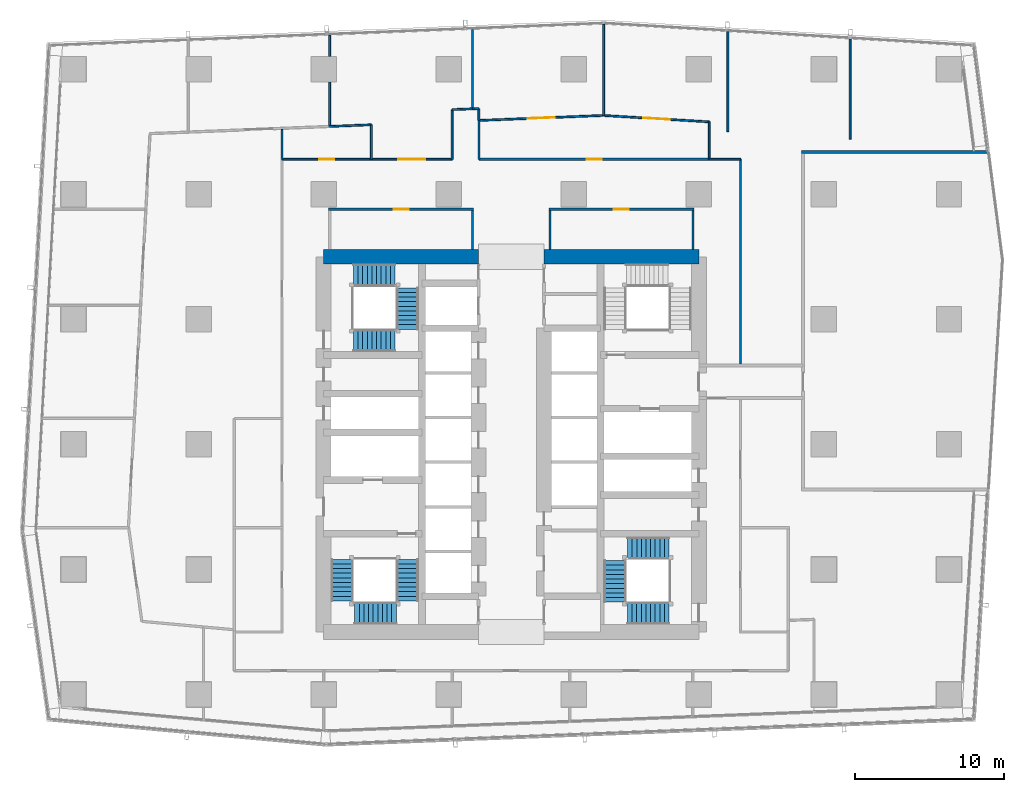
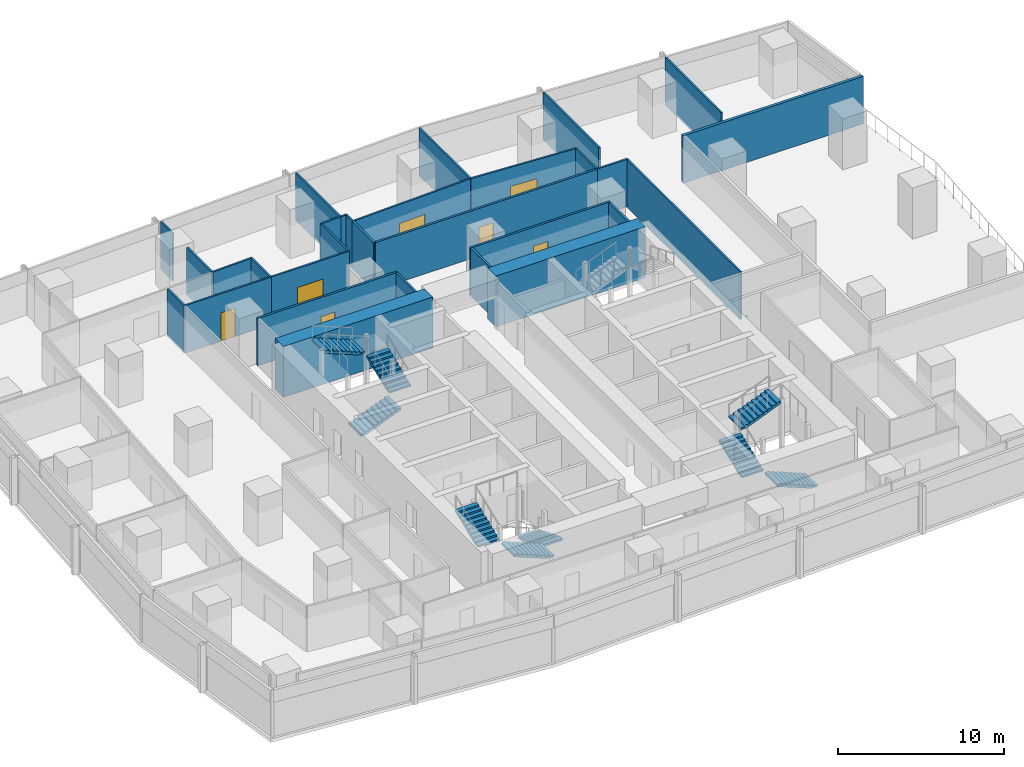
# One storey, part 31 of 40: 30 walls, 9 stair flights, 7 doors, 7 openings, 3 elements without a shape of their own.
"""IFC4 building model written with IfcOpenShell, lengths in metres."""

from ifc_helpers import new_model, si_unit, direction, frame, frame_2d, origin, place, context, subcontext, project, spatial, polyline, rectangle, outline, extrude, material, layer, layer_set, type_object, element, fill, aggregate, save


model = new_model("IFC4")

# Units and contexts
model_context = context("Model", 3, precision=1e-05, world=origin(), true_north=direction((0.0, 1.0)))
body_context = subcontext(model_context, "Body", "Model", "MODEL_VIEW")
ifc_project = project(units=[si_unit("LENGTHUNIT", "METRE"), si_unit("AREAUNIT", "SQUARE_METRE"), si_unit("VOLUMEUNIT", "CUBIC_METRE"), si_unit("PLANEANGLEUNIT", "RADIAN"), si_unit("MASSUNIT", "GRAM", prefix="KILO")], contexts=[model_context])

# Site, building, storey
site_placement = place(None, origin())
site = spatial("IfcSite", under=ifc_project, at=site_placement, CompositionType="ELEMENT")
building_placement = place(site_placement, origin())
building = spatial("IfcBuilding", under=site, at=building_placement, Name="Rekha Terrace Tower", CompositionType="ELEMENT")
storey_placement = place(building_placement, frame((0.0, 0.0, 99.050048828125)))
storey = spatial("IfcBuildingStorey", under=building, at=storey_placement, Name="L24", CompositionType="ELEMENT", Elevation=99.050048828125)

# Walls
ifc_material_1 = material(Name="Concrete M70", Category="concrete")
ifc_layer_1 = layer(ifc_material_1, 1.0)
ifc_layer_set_1 = layer_set([ifc_layer_1], Name="Concrete M70")
wall_type_1 = type_object("IfcWallType", Name="SW2 1000 core outer shear wall", PredefinedType="SHEAR", material=ifc_layer_set_1)
wall_1_placement = place(storey_placement, frame((25.199951171875, 46.199951171875, 0.0), z_axis=(0.0, 0.0, 1.0), x_axis=(1.0, 0.0, 0.0)))
element("IfcWall", 1, at=wall_1_placement, inside=storey, type_object=wall_type_1, Name="Core wall N1 L24", PredefinedType="SHEAR", context=body_context, shape_type="SweptSolid", body=[
    extrude(rectangle(XDim=10.400146484375, YDim=1.0, at=frame_2d((5.2001953125, 0.0))), origin(), (0.0, 0.0, 1.0), 3.75),
])
wall_2_placement = place(storey_placement, frame((40.0, 46.199951171875, 0.0), z_axis=(0.0, 0.0, 1.0), x_axis=(1.0, 0.0, 0.0)))
element("IfcWall", 2, at=wall_2_placement, inside=storey, type_object=wall_type_1, Name="Core wall N2 L24", PredefinedType="SHEAR", context=body_context, shape_type="SweptSolid", body=[
    extrude(rectangle(XDim=10.39990234375, YDim=1.0, at=frame_2d((5.199951171875, 0.0))), origin(), (0.0, 0.0, 1.0), 3.75),
])

# Wall, opening, door
ifc_material_2 = material(Name="Concrete block masonry, 1 hour", Category="masonry")
ifc_layer_2 = layer(ifc_material_2, 0.14990234375)
ifc_layer_set_2 = layer_set([ifc_layer_2], Name="Concrete block masonry, 1 hour")
wall_type_2 = type_object("IfcWallType", Name="WP2 150 tenancy partition", PredefinedType="PARTITIONING", material=ifc_layer_set_2)
wall_3_placement = place(storey_placement, frame((40.324951171875, 49.39990234375, 0.0), z_axis=(0.0, 0.0, 1.0), x_axis=(1.0, 0.0, 0.0)))
wall_3 = element("IfcWall", 3, at=wall_3_placement, inside=storey, type_object=wall_type_2, Name="Women's WC wall L24", PredefinedType="PARTITIONING", context=body_context, shape_type="SweptSolid", body=[
    extrude(rectangle(XDim=9.75, YDim=0.14990234375, at=frame_2d((4.875, 0.0))), origin(), (0.0, 0.0, 1.0), 3.5),
])
opening_1_placement = place(wall_3_placement, frame((4.375, 0.0, 0.0)))
opening_1 = element("IfcOpeningElement", 4, at=opening_1_placement, cuts=wall_3, Name="Opening D3", PredefinedType="OPENING", context=body_context, shape_type="SweptSolid", body=[
    extrude(rectangle(XDim=1.0, YDim=2.10009765625, at=frame_2d((0.5, 1.050048828125))), frame((0.0, 0.0849609375, 0.0), z_axis=(0.0, -1.0, 0.0), x_axis=(1.0, 0.0, 0.0)), (0.0, 0.0, 1.0), 0.169921875),
])
ifc_material_3 = material(Name="Laminated timber fire door", Category="wood")
door_type_1 = type_object("IfcDoorType", Name="D3 1000x2100 WC door", OperationType="SINGLE_SWING_LEFT", PredefinedType="DOOR", material=ifc_material_3)
door_1_placement = place(opening_1_placement, origin())
door_1 = element("IfcDoor", 5, at=door_1_placement, inside=storey, type_object=door_type_1, Name="Door women's wc L24", OperationType="SINGLE_SWING_LEFT", OverallHeight=2.10009765625, OverallWidth=1.0, PredefinedType="DOOR", context=body_context, shape_type="SweptSolid", body=[
    extrude(rectangle(XDim=1.0, YDim=2.10009765625, at=frame_2d((0.5, 1.050048828125))), frame((0.0, 0.02490234375, 0.0), z_axis=(0.0, -1.0, 0.0), x_axis=(1.0, 0.0, 0.0)), (0.0, 0.0, 1.0), 0.050048828125),
])
fill(opening_1, door_1)

# Walls
for number, where, z_axis, x_axis, name in (
    (6, (40.39990234375, 46.699951171875, 0.0), (0.0, 0.0, 1.0), (0.0, 1.0, 0.0), "Women's WC wall L24"),
    (7, (50.0, 46.699951171875, 0.0), (0.0, 0.0, 1.0), (0.0, 1.0, 0.0), "Women's WC wall L24"),
):
    element("IfcWall", number, at=place(storey_placement, frame(where, z_axis=z_axis, x_axis=x_axis)), inside=storey, type_object=wall_type_2, Name=name, PredefinedType="PARTITIONING", context=body_context, shape_type="SweptSolid", body=[
        extrude(rectangle(XDim=2.625, YDim=0.14990234375, at=frame_2d((1.3125, 0.0))), origin(), (0.0, 0.0, 1.0), 3.5),
    ])

# Wall, opening, door
wall_4_placement = place(storey_placement, frame((25.52490234375, 49.39990234375, 0.0), z_axis=(0.0, 0.0, 1.0), x_axis=(1.0, 0.0, 0.0)))
wall_4 = element("IfcWall", 8, at=wall_4_placement, inside=storey, type_object=wall_type_2, Name="Women's WC wall L24", PredefinedType="PARTITIONING", context=body_context, shape_type="SweptSolid", body=[
    extrude(rectangle(XDim=9.75, YDim=0.14990234375, at=frame_2d((4.875, 0.0))), origin(), (0.0, 0.0, 1.0), 3.5),
])
opening_2_placement = place(wall_4_placement, frame((4.375, 0.0, 0.0)))
opening_2 = element("IfcOpeningElement", 9, at=opening_2_placement, cuts=wall_4, Name="Opening D3", PredefinedType="OPENING", context=body_context, shape_type="SweptSolid", body=[
    extrude(rectangle(XDim=1.0, YDim=2.10009765625, at=frame_2d((0.5, 1.050048828125))), frame((0.0, 0.0849609375, 0.0), z_axis=(0.0, -1.0, 0.0), x_axis=(1.0, 0.0, 0.0)), (0.0, 0.0, 1.0), 0.169921875),
])
door_2_placement = place(opening_2_placement, origin())
door_2 = element("IfcDoor", 10, at=door_2_placement, inside=storey, type_object=door_type_1, Name="Door women's wc L24", OperationType="SINGLE_SWING_LEFT", OverallHeight=2.10009765625, OverallWidth=1.0, PredefinedType="DOOR", context=body_context, shape_type="SweptSolid", body=[
    extrude(rectangle(XDim=1.0, YDim=2.10009765625, at=frame_2d((0.5, 1.050048828125))), frame((0.0, 0.02490234375, 0.0), z_axis=(0.0, -1.0, 0.0), x_axis=(1.0, 0.0, 0.0)), (0.0, 0.0, 1.0), 0.050048828125),
])
fill(opening_2, door_2)

# Wall
wall_5_placement = place(storey_placement, frame((35.199951171875, 46.699951171875, 0.0), z_axis=(0.0, 0.0, 1.0), x_axis=(0.0, 1.0, 0.0)))
element("IfcWall", 11, at=wall_5_placement, inside=storey, type_object=wall_type_2, Name="Women's WC wall L24", PredefinedType="PARTITIONING", context=body_context, shape_type="SweptSolid", body=[
    extrude(rectangle(XDim=2.625, YDim=0.14990234375, at=frame_2d((1.3125, 0.0))), origin(), (0.0, 0.0, 1.0), 3.5),
])

# Wall, opening, door
wall_6_placement = place(storey_placement, frame((51.09912109375, 52.75, 0.0), z_axis=(0.0, 0.0, 1.0), x_axis=(-1.0, 0.0, 0.0)))
wall_6 = element("IfcWall", 12, at=wall_6_placement, inside=storey, type_object=wall_type_2, Name="Partition L24-O2", PredefinedType="PARTITIONING", context=body_context, shape_type="SweptSolid", body=[
    extrude(rectangle(XDim=15.47314453125, YDim=0.14990234375, at=frame_2d((7.736572265625, 0.0))), origin(), (0.0, 0.0, 1.0), 3.5),
])
opening_3_placement = place(wall_6_placement, frame((7.236083984375, 0.0, 0.0)))
opening_3 = element("IfcOpeningElement", 13, at=opening_3_placement, cuts=wall_6, Name="Opening D9", PredefinedType="OPENING", context=body_context, shape_type="SweptSolid", body=[
    extrude(rectangle(XDim=1.0, YDim=2.10009765625, at=frame_2d((0.5, 1.050048828125))), frame((0.0, 0.0849609375, 0.0), z_axis=(0.0, -1.0, 0.0), x_axis=(1.0, 0.0, 0.0)), (0.0, 0.0, 1.0), 0.169921875),
])
ifc_material_4 = material(Name="Timber fire door", Category="wood")
door_type_2 = type_object("IfcDoorType", Name="D9 1000x2100 office door", OperationType="SINGLE_SWING_LEFT", PredefinedType="DOOR", material=ifc_material_4)
door_3_placement = place(opening_3_placement, origin())
door_3 = element("IfcDoor", 14, at=door_3_placement, inside=storey, type_object=door_type_2, Name="Door open-plan office L24", OperationType="SINGLE_SWING_LEFT", OverallHeight=2.10009765625, OverallWidth=1.0, PredefinedType="DOOR", context=body_context, shape_type="SweptSolid", body=[
    extrude(rectangle(XDim=1.0, YDim=2.10009765625, at=frame_2d((0.5, 1.050048828125))), frame((0.0, 0.02490234375, 0.0), z_axis=(0.0, -1.0, 0.0), x_axis=(1.0, 0.0, 0.0)), (0.0, 0.0, 1.0), 0.050048828125),
])
fill(opening_3, door_3)

# Walls
wall_7_placement = place(storey_placement, frame((35.6259765625, 52.75, 0.0), z_axis=(0.0, 0.0, 1.0), x_axis=(0.0, 1.0, 0.0)))
element("IfcWall", 15, at=wall_7_placement, inside=storey, type_object=wall_type_2, Name="Partition L24-O2", PredefinedType="PARTITIONING", context=body_context, shape_type="SweptSolid", body=[
    extrude(rectangle(XDim=2.60791015625, YDim=0.14990234375, at=frame_2d((1.303955078125, 0.0))), origin(), (0.0, 0.0, 1.0), 3.5),
])
ifc_material_5 = material(Name="Two layers of fire-rated gypsum board each side on steel studs, acoustic quilt, 1 hour", Category="steel")
ifc_layer_3 = layer(ifc_material_5, 0.125)
ifc_layer_set_3 = layer_set([ifc_layer_3], Name="Two layers of fire-rated gypsum board each side on steel studs, acoustic quilt, 1 hour")
wall_type_3 = type_object("IfcWallType", Name="WP3 125 office partition", PredefinedType="PARTITIONING", material=ifc_layer_set_3)
for number, where, z_axis, x_axis, name in (
    (16, (52.34912109375, 61.320068359375, 0.0), (0.0, 0.0, 1.0), (0.0, -1.0, 0.0), "Partition L24-03"),
    (17, (60.56103515625, 60.826904296875, 0.0), (0.0, 0.0, 1.0), (0.0, -1.0, 0.0), "Partition L24-03"),
):
    element("IfcWall", number, at=place(storey_placement, frame(where, z_axis=z_axis, x_axis=x_axis)), inside=storey, type_object=wall_type_3, Name=name, PredefinedType="PARTITIONING", context=body_context, shape_type="SweptSolid", body=[
        extrude(rectangle(XDim=6.719970703125, YDim=0.125, at=frame_2d((3.35986328125, 0.0))), origin(), (0.0, 0.0, 1.0), 3.5),
    ])
wall_8_placement = place(storey_placement, frame((53.199951171875, 39.010986328125, 0.0), z_axis=(0.0, 0.0, 1.0), x_axis=(0.0, 1.0, 0.0)))
element("IfcWall", 18, at=wall_8_placement, inside=storey, type_object=wall_type_3, Name="Partition L24-03", PredefinedType="PARTITIONING", context=body_context, shape_type="SweptSolid", body=[
    extrude(rectangle(XDim=13.739013671875, YDim=0.125, at=frame_2d((6.86962890625, 0.0))), origin(), (0.0, 0.0, 1.0), 3.5),
])
wall_9_placement = place(storey_placement, frame((53.199951171875, 52.75, 0.0), z_axis=(0.0, 0.0, 1.0), x_axis=(-1.0, 0.0, 0.0)))
element("IfcWall", 19, at=wall_9_placement, inside=storey, type_object=wall_type_3, Name="Partition L24-03", PredefinedType="PARTITIONING", context=body_context, shape_type="SweptSolid", body=[
    extrude(rectangle(XDim=2.100830078125, YDim=0.125, at=frame_2d((1.05029296875, 0.0))), origin(), (0.0, 0.0, 1.0), 3.5),
])
wall_10_placement = place(storey_placement, frame((51.09912109375, 52.75, 0.0), z_axis=(0.0, 0.0, 1.0), x_axis=(0.0, 1.0, 0.0)))
element("IfcWall", 20, at=wall_10_placement, inside=storey, type_object=wall_type_3, Name="Partition L24-03", PredefinedType="PARTITIONING", context=body_context, shape_type="SweptSolid", body=[
    extrude(rectangle(XDim=2.513916015625, YDim=0.125, at=frame_2d((1.2568359375, 0.0))), origin(), (0.0, 0.0, 1.0), 3.5),
])

# Wall, opening, door
wall_11_placement = place(storey_placement, frame((51.09912109375, 55.263916015625, 0.0), z_axis=(0.0, 0.0, 1.0), x_axis=(-0.998193986996, 0.060072991647, 0.0)))
wall_11 = element("IfcWall", 21, at=wall_11_placement, inside=storey, type_object=wall_type_3, Name="Partition L24-03", PredefinedType="PARTITIONING", context=body_context, shape_type="SweptSolid", body=[
    extrude(rectangle(XDim=7.108154296875, YDim=0.125, at=frame_2d((3.55419921875, 0.0))), origin(), (0.0, 0.0, 1.0), 3.5),
])
opening_4_placement = place(wall_11_placement, frame((2.654052734375, 0.0, 0.0)))
opening_4 = element("IfcOpeningElement", 22, at=opening_4_placement, cuts=wall_11, Name="Opening D8", PredefinedType="OPENING", context=body_context, shape_type="SweptSolid", body=[
    extrude(rectangle(XDim=1.800048828125, YDim=2.10009765625, at=frame_2d((0.89990234375, 1.050048828125))), frame((0.0, 0.072509765625, 0.0), z_axis=(0.0, -1.0, 0.0), x_axis=(1.0, 0.0, 0.0)), (0.0, 0.0, 1.0), 0.14501953125),
])
door_type_3 = type_object("IfcDoorType", Name="D8 1800x2100 double leaf door", OperationType="DOUBLE_DOOR_SINGLE_SWING", PredefinedType="DOOR", material=ifc_material_4)
door_4_placement = place(opening_4_placement, origin())
door_4 = element("IfcDoor", 23, at=door_4_placement, inside=storey, type_object=door_type_3, Name="Door breakout lounge L24", OperationType="DOUBLE_DOOR_SINGLE_SWING", OverallHeight=2.10009765625, OverallWidth=1.800048828125, PredefinedType="DOOR", context=body_context, shape_type="SweptSolid", body=[
    extrude(rectangle(XDim=1.800048828125, YDim=2.10009765625, at=frame_2d((0.89990234375, 1.050048828125))), frame((0.0, 0.02490234375, 0.0), z_axis=(0.0, -1.0, 0.0), x_axis=(1.0, 0.0, 0.0)), (0.0, 0.0, 1.0), 0.050048828125),
])
fill(opening_4, door_4)

# Walls
wall_12_placement = place(storey_placement, frame((44.00390625, 55.69091796875, 0.0), z_axis=(0.0, 0.0, 1.0), x_axis=(0.0, 1.0, 0.0)))
element("IfcWall", 24, at=wall_12_placement, inside=storey, type_object=wall_type_3, Name="Partition L24-03", PredefinedType="PARTITIONING", context=body_context, shape_type="SweptSolid", body=[
    extrude(rectangle(XDim=6.128173828125, YDim=0.125, at=frame_2d((3.06396484375, 0.0))), origin(), (0.0, 0.0, 1.0), 3.5),
])
wall_13_placement = place(storey_placement, frame((35.6259765625, 55.35791015625, 0.0), z_axis=(0.0, 0.0, 1.0), x_axis=(0.0, 1.0, 0.0)))
element("IfcWall", 25, at=wall_13_placement, inside=storey, type_object=wall_type_3, Name="Partition L24-04", PredefinedType="PARTITIONING", context=body_context, shape_type="SweptSolid", body=[
    extrude(rectangle(XDim=0.801025390625, YDim=0.125, at=frame_2d((0.400390625, 0.0))), origin(), (0.0, 0.0, 1.0), 3.5),
])
wall_14_placement = place(storey_placement, frame((35.6259765625, 56.158935546875, 0.0), z_axis=(0.0, 0.0, 1.0), x_axis=(-0.999219148566, -0.039510671204, 0.0)))
element("IfcWall", 26, at=wall_14_placement, inside=storey, type_object=wall_type_3, Name="Partition L24-04", PredefinedType="PARTITIONING", context=body_context, shape_type="SweptSolid", body=[
    extrude(rectangle(XDim=0.42626953125, YDim=0.125, at=frame_2d((0.213134765625, 0.0))), origin(), (0.0, 0.0, 1.0), 3.5),
])
wall_15_placement = place(storey_placement, frame((35.199951171875, 56.14208984375, 0.0), z_axis=(0.0, 0.0, 1.0), x_axis=(0.0, 1.0, 0.0)))
element("IfcWall", 27, at=wall_15_placement, inside=storey, type_object=wall_type_3, Name="Partition L24-04", PredefinedType="PARTITIONING", context=body_context, shape_type="SweptSolid", body=[
    extrude(rectangle(XDim=5.323974609375, YDim=0.125, at=frame_2d((2.662109375, 0.0))), origin(), (0.0, 0.0, 1.0), 3.5),
])

# Wall, opening, door
wall_16_placement = place(storey_placement, frame((43.94091796875, 55.69189453125, 0.0), z_axis=(0.0, 0.0, 1.0), x_axis=(-0.99919428992, -0.040134411551, 0.0)))
wall_16 = element("IfcWall", 28, at=wall_16_placement, inside=storey, type_object=wall_type_3, Name="Partition L24-04", PredefinedType="PARTITIONING", context=body_context, shape_type="SweptSolid", body=[
    extrude(rectangle(XDim=8.321533203125, YDim=0.125, at=frame_2d((4.16064453125, 0.0))), origin(), (0.0, 0.0, 1.0), 3.5),
])
opening_5_placement = place(wall_16_placement, frame((3.22998046875, 0.0, 0.0)))
opening_5 = element("IfcOpeningElement", 29, at=opening_5_placement, cuts=wall_16, Name="Opening D8", PredefinedType="OPENING", context=body_context, shape_type="SweptSolid", body=[
    extrude(rectangle(XDim=1.800048828125, YDim=2.10009765625, at=frame_2d((0.89990234375, 1.050048828125))), frame((0.0, 0.072509765625, 0.0), z_axis=(0.0, -1.0, 0.0), x_axis=(1.0, 0.0, 0.0)), (0.0, 0.0, 1.0), 0.14501953125),
])
door_5_placement = place(opening_5_placement, origin())
door_5 = element("IfcDoor", 30, at=door_5_placement, inside=storey, type_object=door_type_3, Name="Door training and meeting room L24", OperationType="DOUBLE_DOOR_SINGLE_SWING", OverallHeight=2.10009765625, OverallWidth=1.800048828125, PredefinedType="DOOR", context=body_context, shape_type="SweptSolid", body=[
    extrude(rectangle(XDim=1.800048828125, YDim=2.10009765625, at=frame_2d((0.89990234375, 1.050048828125))), frame((0.0, 0.02490234375, 0.0), z_axis=(0.0, -1.0, 0.0), x_axis=(1.0, 0.0, 0.0)), (0.0, 0.0, 1.0), 0.050048828125),
])
fill(opening_5, door_5)

# Walls
wall_17_placement = place(storey_placement, frame((25.60009765625, 54.9560546875, 0.0), z_axis=(0.0, 0.0, 1.0), x_axis=(0.0, 1.0, 0.0)))
element("IfcWall", 31, at=wall_17_placement, inside=storey, type_object=wall_type_3, Name="Partition L24-05", PredefinedType="PARTITIONING", context=body_context, shape_type="SweptSolid", body=[
    extrude(rectangle(XDim=2.973876953125, YDim=0.125, at=frame_2d((1.48681640625, 0.0))), origin(), (0.0, 0.0, 1.0), 3.5),
])
wall_18_placement = place(storey_placement, frame((25.60009765625, 59.669921875, 0.0), z_axis=(0.0, 0.0, 1.0), x_axis=(0.0, 1.0, 0.0)))
element("IfcWall", 32, at=wall_18_placement, inside=storey, type_object=wall_type_3, Name="Partition L24-05", PredefinedType="PARTITIONING", context=body_context, shape_type="SweptSolid", body=[
    extrude(rectangle(XDim=1.4111328125, YDim=0.125, at=frame_2d((0.70556640625, 0.0))), origin(), (0.0, 0.0, 1.0), 3.5),
])
wall_19_placement = place(storey_placement, frame((35.198974609375, 56.14111328125, 0.0), z_axis=(0.0, 0.0, 1.0), x_axis=(-0.999193562593, -0.04015251514, 0.0)))
element("IfcWall", 33, at=wall_19_placement, inside=storey, type_object=wall_type_3, Name="Partition L24-05", PredefinedType="PARTITIONING", context=body_context, shape_type="SweptSolid", body=[
    extrude(rectangle(XDim=1.374267578125, YDim=0.125, at=frame_2d((0.68701171875, 0.0))), origin(), (0.0, 0.0, 1.0), 3.5),
])
wall_20_placement = place(storey_placement, frame((33.825927734375, 56.0859375, 0.0), z_axis=(0.0, 0.0, 1.0), x_axis=(0.0, -1.0, 0.0)))
element("IfcWall", 34, at=wall_20_placement, inside=storey, type_object=wall_type_3, Name="Partition L24-05", PredefinedType="PARTITIONING", context=body_context, shape_type="SweptSolid", body=[
    extrude(rectangle(XDim=3.3359375, YDim=0.125, at=frame_2d((1.66796875, 0.0))), origin(), (0.0, 0.0, 1.0), 3.5),
])

# Wall, opening, door
wall_21_placement = place(storey_placement, frame((33.825927734375, 52.75, 0.0), z_axis=(0.0, 0.0, 1.0), x_axis=(-1.0, 0.0, 0.0)))
wall_21 = element("IfcWall", 35, at=wall_21_placement, inside=storey, type_object=wall_type_3, Name="Partition L24-05", PredefinedType="PARTITIONING", context=body_context, shape_type="SweptSolid", body=[
    extrude(rectangle(XDim=5.426025390625, YDim=0.125, at=frame_2d((2.712890625, 0.0))), origin(), (0.0, 0.0, 1.0), 3.5),
])
opening_6_placement = place(wall_21_placement, frame((1.81298828125, 0.0, 0.0)))
opening_6 = element("IfcOpeningElement", 36, at=opening_6_placement, cuts=wall_21, Name="Opening D8", PredefinedType="OPENING", context=body_context, shape_type="SweptSolid", body=[
    extrude(rectangle(XDim=1.800048828125, YDim=2.10009765625, at=frame_2d((0.89990234375, 1.050048828125))), frame((0.0, 0.072509765625, 0.0), z_axis=(0.0, -1.0, 0.0), x_axis=(1.0, 0.0, 0.0)), (0.0, 0.0, 1.0), 0.14501953125),
])
door_6_placement = place(opening_6_placement, origin())
door_6 = element("IfcDoor", 37, at=door_6_placement, inside=storey, type_object=door_type_3, Name="Door training and meeting room L24", OperationType="DOUBLE_DOOR_SINGLE_SWING", OverallHeight=2.10009765625, OverallWidth=1.800048828125, PredefinedType="DOOR", context=body_context, shape_type="SweptSolid", body=[
    extrude(rectangle(XDim=1.800048828125, YDim=2.10009765625, at=frame_2d((0.89990234375, 1.050048828125))), frame((0.0, 0.02490234375, 0.0), z_axis=(0.0, -1.0, 0.0), x_axis=(1.0, 0.0, 0.0)), (0.0, 0.0, 1.0), 0.050048828125),
])
fill(opening_6, door_6)

# Walls
wall_22_placement = place(storey_placement, frame((28.39990234375, 52.75, 0.0), z_axis=(0.0, 0.0, 1.0), x_axis=(0.0, 1.0, 0.0)))
element("IfcWall", 38, at=wall_22_placement, inside=storey, type_object=wall_type_3, Name="Partition L24-05", PredefinedType="PARTITIONING", context=body_context, shape_type="SweptSolid", body=[
    extrude(rectangle(XDim=2.318115234375, YDim=0.125, at=frame_2d((1.1591796875, 0.0))), origin(), (0.0, 0.0, 1.0), 3.5),
])
wall_23_placement = place(storey_placement, frame((28.39990234375, 55.068115234375, 0.0), z_axis=(0.0, 0.0, 1.0), x_axis=(-0.999199984134, -0.039992395598, 0.0)))
element("IfcWall", 39, at=wall_23_placement, inside=storey, type_object=wall_type_3, Name="Partition L24-05", PredefinedType="PARTITIONING", context=body_context, shape_type="SweptSolid", body=[
    extrude(rectangle(XDim=2.802001953125, YDim=0.125, at=frame_2d((1.40087890625, 0.0))), origin(), (0.0, 0.0, 1.0), 3.5),
])

# Wall, opening, door
wall_24_placement = place(storey_placement, frame((28.39990234375, 52.75, 0.0), z_axis=(0.0, 0.0, 1.0), x_axis=(-1.0, 0.0, 0.0)))
wall_24 = element("IfcWall", 40, at=wall_24_placement, inside=storey, type_object=wall_type_3, Name="Partition L24-10", PredefinedType="PARTITIONING", context=body_context, shape_type="SweptSolid", body=[
    extrude(rectangle(XDim=6.0, YDim=0.125, at=frame_2d((3.0, 0.0))), origin(), (0.0, 0.0, 1.0), 3.5),
])
opening_7_placement = place(wall_24_placement, frame((2.5, 0.0, 0.0)))
opening_7 = element("IfcOpeningElement", 41, at=opening_7_placement, cuts=wall_24, Name="Opening D9", PredefinedType="OPENING", context=body_context, shape_type="SweptSolid", body=[
    extrude(rectangle(XDim=1.0, YDim=2.10009765625, at=frame_2d((0.5, 1.050048828125))), frame((0.0, 0.072509765625, 0.0), z_axis=(0.0, -1.0, 0.0), x_axis=(1.0, 0.0, 0.0)), (0.0, 0.0, 1.0), 0.14501953125),
])
door_7_placement = place(opening_7_placement, origin())
door_7 = element("IfcDoor", 42, at=door_7_placement, inside=storey, type_object=door_type_2, Name="Door reception L24", OperationType="SINGLE_SWING_LEFT", OverallHeight=2.10009765625, OverallWidth=1.0, PredefinedType="DOOR", context=body_context, shape_type="SweptSolid", body=[
    extrude(rectangle(XDim=1.0, YDim=2.10009765625, at=frame_2d((0.5, 1.050048828125))), frame((0.0, 0.02490234375, 0.0), z_axis=(0.0, -1.0, 0.0), x_axis=(1.0, 0.0, 0.0)), (0.0, 0.0, 1.0), 0.050048828125),
])
fill(opening_7, door_7)

# Walls
wall_25_placement = place(storey_placement, frame((22.39990234375, 52.75, 0.0), z_axis=(0.0, 0.0, 1.0), x_axis=(0.0, 1.0, 0.0)))
element("IfcWall", 43, at=wall_25_placement, inside=storey, type_object=wall_type_3, Name="Partition L24-10", PredefinedType="PARTITIONING", context=body_context, shape_type="SweptSolid", body=[
    extrude(rectangle(XDim=2.014892578125, YDim=0.125, at=frame_2d((1.00732421875, 0.0))), origin(), (0.0, 0.0, 1.0), 3.5),
])
ifc_material_6 = material(Name="Solid concrete block masonry, 2 hour", Category="masonry")
ifc_layer_4 = layer(ifc_material_6, 0.199951171875)
ifc_layer_set_4 = layer_set([ifc_layer_4], Name="Solid concrete block masonry, 2 hour")
wall_type_4 = type_object("IfcWallType", Name="WS1 200 stair and shaft enclosure", PredefinedType="PARTITIONING", material=ifc_layer_set_4)
wall_26_placement = place(storey_placement, frame((57.300048828125, 53.22509765625, 0.0), z_axis=(0.0, 0.0, 1.0), x_axis=(1.0, 0.0, 0.0)))
element("IfcWall", 44, at=wall_26_placement, inside=storey, type_object=wall_type_4, Name="Refuge area north wall L24", PredefinedType="PARTITIONING", context=body_context, shape_type="SweptSolid", body=[
    extrude(rectangle(XDim=12.56005859375, YDim=0.199951171875, at=frame_2d((6.280029296875, 0.0))), origin(), (0.0, 0.0, 1.0), 3.5),
])

# Stair, stair flights
ifc_material_7 = material(Name="Concrete M40", Category="concrete")
stair_type = type_object("IfcStairType", Name="ST30 stair, 30 risers of 125, going 310, 1500 wide flights, 3 flights", PredefinedType="HALF_TURN_STAIR", material=ifc_material_7)
stair_1_placement = place(storey_placement, origin())
stair_1 = element("IfcStair", 45, at=stair_1_placement, inside=storey, type_object=stair_type, Name="Stair ST1 L24 to L25", PredefinedType="HALF_TURN_STAIR")
stair_flight_type = type_object("IfcStairFlightType", Name="SF10 stair flight, 10 risers of 125, going 310, 1500 wide", PredefinedType="STRAIGHT", material=ifc_material_7)
stair_flight_1_placement = place(storey_placement, frame((30.824951171875, 25.875, 0.0), z_axis=(0.0, 0.0, 1.0), x_axis=(0.0, -1.0, 0.0)))
stair_flight_1 = element("IfcStairFlight", 46, at=stair_flight_1_placement, type_object=stair_flight_type, Name="ST1 flight 1", NumberOfRisers=10, NumberOfTreads=9, PredefinedType="STRAIGHT", RiserHeight=0.125, TreadLength=0.31, context=body_context, shape_type="SweptSolid", body=[
    extrude(outline(polyline([(0.0, 0.0), (0.0, 0.125), (0.31005859375, 0.125), (0.31005859375, 0.25), (0.6201171875, 0.25), (0.6201171875, 0.375), (0.929931640625, 0.375), (0.929931640625, 0.5), (1.239990234375, 0.5), (1.239990234375, 0.625), (1.550048828125, 0.625), (1.550048828125, 0.75), (1.860107421875, 0.75), (1.860107421875, 0.875), (2.169921875, 0.875), (2.169921875, 1.0), (2.47998046875, 1.0), (2.47998046875, 1.125), (2.7900390625, 1.125), (2.7900390625, 1.25), (2.7900390625, 0.96337890625), (0.40087890625, 0.0), (0.0, 0.0)])), frame((0.0, 0.75, 0.0), z_axis=(0.0, -1.0, 0.0), x_axis=(1.0, 0.0, 0.0)), (0.0, 0.0, 1.0), 1.5),
])
stair_flight_2_placement = place(storey_placement, frame((30.074951171875, 22.25, 1.25), z_axis=(0.0, 0.0, 1.0), x_axis=(-1.0, 0.0, 0.0)))
stair_flight_2 = element("IfcStairFlight", 47, at=stair_flight_2_placement, type_object=stair_flight_type, Name="ST1 flight 2", NumberOfRisers=10, NumberOfTreads=9, PredefinedType="STRAIGHT", RiserHeight=0.125, TreadLength=0.31, context=body_context, shape_type="SweptSolid", body=[
    extrude(outline(polyline([(0.0, 0.0), (0.0, 0.125), (0.31005859375, 0.125), (0.31005859375, 0.25), (0.6201171875, 0.25), (0.6201171875, 0.375), (0.929931640625, 0.375), (0.929931640625, 0.5), (1.239990234375, 0.5), (1.239990234375, 0.625), (1.550048828125, 0.625), (1.550048828125, 0.75), (1.860107421875, 0.75), (1.860107421875, 0.875), (2.169921875, 0.875), (2.169921875, 1.0), (2.47998046875, 1.0), (2.47998046875, 1.125), (2.7900390625, 1.125), (2.7900390625, 1.25), (2.7900390625, 0.96337890625), (0.40087890625, 0.0), (0.0, 0.0)])), frame((0.0, 0.75, 0.0), z_axis=(0.0, -1.0, 0.0), x_axis=(1.0, 0.0, 0.0)), (0.0, 0.0, 1.0), 1.5),
])
stair_flight_3_placement = place(storey_placement, frame((26.449951171875, 23.0849609375, 2.5), z_axis=(0.0, 0.0, 1.0), x_axis=(0.0, 1.0, 0.0)))
stair_flight_3 = element("IfcStairFlight", 48, at=stair_flight_3_placement, type_object=stair_flight_type, Name="ST1 flight 3", NumberOfRisers=10, NumberOfTreads=9, PredefinedType="STRAIGHT", RiserHeight=0.125, TreadLength=0.31, context=body_context, shape_type="SweptSolid", body=[
    extrude(outline(polyline([(0.0, 0.0), (0.0, 0.125), (0.31005859375, 0.125), (0.31005859375, 0.25), (0.6201171875, 0.25), (0.6201171875, 0.375), (0.929931640625, 0.375), (0.929931640625, 0.5), (1.239990234375, 0.5), (1.239990234375, 0.625), (1.550048828125, 0.625), (1.550048828125, 0.75), (1.860107421875, 0.75), (1.860107421875, 0.875), (2.169921875, 0.875), (2.169921875, 1.0), (2.47998046875, 1.0), (2.47998046875, 1.125), (2.7900390625, 1.125), (2.7900390625, 1.25), (2.7900390625, 0.96337890625), (0.40087890625, 0.0), (0.0, 0.0)])), frame((0.0, 0.75, 0.0), z_axis=(0.0, -1.0, 0.0), x_axis=(1.0, 0.0, 0.0)), (0.0, 0.0, 1.0), 1.5),
])
aggregate(stair_1, [stair_flight_1, stair_flight_2, stair_flight_3])

stair_2_placement = place(storey_placement, origin())
stair_2 = element("IfcStair", 49, at=stair_2_placement, inside=storey, type_object=stair_type, Name="Stair ST3 L24 to L25", PredefinedType="HALF_TURN_STAIR")
stair_flight_4_placement = place(storey_placement, frame((48.39990234375, 22.25, 0.0), z_axis=(0.0, 0.0, 1.0), x_axis=(-1.0, 0.0, 0.0)))
stair_flight_4 = element("IfcStairFlight", 50, at=stair_flight_4_placement, type_object=stair_flight_type, Name="ST3 flight 1", NumberOfRisers=10, NumberOfTreads=9, PredefinedType="STRAIGHT", RiserHeight=0.125, TreadLength=0.31, context=body_context, shape_type="SweptSolid", body=[
    extrude(outline(polyline([(0.0, 0.0), (0.0, 0.125), (0.31005859375, 0.125), (0.31005859375, 0.25), (0.6201171875, 0.25), (0.6201171875, 0.375), (0.929931640625, 0.375), (0.929931640625, 0.5), (1.239990234375, 0.5), (1.239990234375, 0.625), (1.550048828125, 0.625), (1.550048828125, 0.75), (1.860107421875, 0.75), (1.860107421875, 0.875), (2.169921875, 0.875), (2.169921875, 1.0), (2.47998046875, 1.0), (2.47998046875, 1.125), (2.7900390625, 1.125), (2.7900390625, 1.25), (2.7900390625, 0.96337890625), (0.40087890625, 0.0), (0.0, 0.0)])), frame((0.0, 0.75, 0.0), z_axis=(0.0, -1.0, 0.0), x_axis=(1.0, 0.0, 0.0)), (0.0, 0.0, 1.0), 1.5),
])
stair_flight_5_placement = place(storey_placement, frame((44.77490234375, 23.0, 1.25), z_axis=(0.0, 0.0, 1.0), x_axis=(0.0, 1.0, 0.0)))
stair_flight_5 = element("IfcStairFlight", 51, at=stair_flight_5_placement, type_object=stair_flight_type, Name="ST3 flight 2", NumberOfRisers=10, NumberOfTreads=9, PredefinedType="STRAIGHT", RiserHeight=0.125, TreadLength=0.31, context=body_context, shape_type="SweptSolid", body=[
    extrude(outline(polyline([(0.0, 0.0), (0.0, 0.125), (0.31005859375, 0.125), (0.31005859375, 0.25), (0.6201171875, 0.25), (0.6201171875, 0.375), (0.929931640625, 0.375), (0.929931640625, 0.5), (1.239990234375, 0.5), (1.239990234375, 0.625), (1.550048828125, 0.625), (1.550048828125, 0.75), (1.860107421875, 0.75), (1.860107421875, 0.875), (2.169921875, 0.875), (2.169921875, 1.0), (2.47998046875, 1.0), (2.47998046875, 1.125), (2.7900390625, 1.125), (2.7900390625, 1.25), (2.7900390625, 0.96337890625), (0.40087890625, 0.0), (0.0, 0.0)])), frame((0.0, 0.75, 0.0), z_axis=(0.0, -1.0, 0.0), x_axis=(1.0, 0.0, 0.0)), (0.0, 0.0, 1.0), 1.5),
])
stair_flight_6_placement = place(storey_placement, frame((45.610107421875, 26.625, 2.5), z_axis=(0.0, 0.0, 1.0), x_axis=(1.0, 0.0, 0.0)))
stair_flight_6 = element("IfcStairFlight", 52, at=stair_flight_6_placement, type_object=stair_flight_type, Name="ST3 flight 3", NumberOfRisers=10, NumberOfTreads=9, PredefinedType="STRAIGHT", RiserHeight=0.125, TreadLength=0.31, context=body_context, shape_type="SweptSolid", body=[
    extrude(outline(polyline([(0.0, 0.0), (0.0, 0.125), (0.31005859375, 0.125), (0.31005859375, 0.25), (0.6201171875, 0.25), (0.6201171875, 0.375), (0.929931640625, 0.375), (0.929931640625, 0.5), (1.239990234375, 0.5), (1.239990234375, 0.625), (1.550048828125, 0.625), (1.550048828125, 0.75), (1.860107421875, 0.75), (1.860107421875, 0.875), (2.169921875, 0.875), (2.169921875, 1.0), (2.47998046875, 1.0), (2.47998046875, 1.125), (2.7900390625, 1.125), (2.7900390625, 1.25), (2.7900390625, 0.96337890625), (0.40087890625, 0.0), (0.0, 0.0)])), frame((0.0, 0.75, 0.0), z_axis=(0.0, -1.0, 0.0), x_axis=(1.0, 0.0, 0.0)), (0.0, 0.0, 1.0), 1.5),
])
aggregate(stair_2, [stair_flight_4, stair_flight_5, stair_flight_6])

stair_3_placement = place(storey_placement, origin())
stair_3 = element("IfcStair", 53, at=stair_3_placement, inside=storey, type_object=stair_type, Name="Stair ST4 L24 to L25", PredefinedType="HALF_TURN_STAIR")
stair_flight_7_placement = place(storey_placement, frame((27.199951171875, 40.574951171875, 0.0), z_axis=(0.0, 0.0, 1.0), x_axis=(1.0, 0.0, 0.0)))
stair_flight_7 = element("IfcStairFlight", 54, at=stair_flight_7_placement, type_object=stair_flight_type, Name="ST4 flight 1", NumberOfRisers=10, NumberOfTreads=9, PredefinedType="STRAIGHT", RiserHeight=0.125, TreadLength=0.31, context=body_context, shape_type="SweptSolid", body=[
    extrude(outline(polyline([(0.0, 0.0), (0.0, 0.125), (0.31005859375, 0.125), (0.31005859375, 0.25), (0.6201171875, 0.25), (0.6201171875, 0.375), (0.929931640625, 0.375), (0.929931640625, 0.5), (1.239990234375, 0.5), (1.239990234375, 0.625), (1.550048828125, 0.625), (1.550048828125, 0.75), (1.860107421875, 0.75), (1.860107421875, 0.875), (2.169921875, 0.875), (2.169921875, 1.0), (2.47998046875, 1.0), (2.47998046875, 1.125), (2.7900390625, 1.125), (2.7900390625, 1.25), (2.7900390625, 0.96337890625), (0.40087890625, 0.0), (0.0, 0.0)])), frame((0.0, 0.75, 0.0), z_axis=(0.0, -1.0, 0.0), x_axis=(1.0, 0.0, 0.0)), (0.0, 0.0, 1.0), 1.5),
])
stair_flight_8_placement = place(storey_placement, frame((30.824951171875, 41.324951171875, 1.25), z_axis=(0.0, 0.0, 1.0), x_axis=(0.0, 1.0, 0.0)))
stair_flight_8 = element("IfcStairFlight", 55, at=stair_flight_8_placement, type_object=stair_flight_type, Name="ST4 flight 2", NumberOfRisers=10, NumberOfTreads=9, PredefinedType="STRAIGHT", RiserHeight=0.125, TreadLength=0.31, context=body_context, shape_type="SweptSolid", body=[
    extrude(outline(polyline([(0.0, 0.0), (0.0, 0.125), (0.31005859375, 0.125), (0.31005859375, 0.25), (0.6201171875, 0.25), (0.6201171875, 0.375), (0.929931640625, 0.375), (0.929931640625, 0.5), (1.239990234375, 0.5), (1.239990234375, 0.625), (1.550048828125, 0.625), (1.550048828125, 0.75), (1.860107421875, 0.75), (1.860107421875, 0.875), (2.169921875, 0.875), (2.169921875, 1.0), (2.47998046875, 1.0), (2.47998046875, 1.125), (2.7900390625, 1.125), (2.7900390625, 1.25), (2.7900390625, 0.96337890625), (0.40087890625, 0.0), (0.0, 0.0)])), frame((0.0, 0.75, 0.0), z_axis=(0.0, -1.0, 0.0), x_axis=(1.0, 0.0, 0.0)), (0.0, 0.0, 1.0), 1.5),
])
stair_flight_9_placement = place(storey_placement, frame((29.989990234375, 44.949951171875, 2.5), z_axis=(0.0, 0.0, 1.0), x_axis=(-1.0, 0.0, 0.0)))
stair_flight_9 = element("IfcStairFlight", 56, at=stair_flight_9_placement, type_object=stair_flight_type, Name="ST4 flight 3", NumberOfRisers=10, NumberOfTreads=9, PredefinedType="STRAIGHT", RiserHeight=0.125, TreadLength=0.31, context=body_context, shape_type="SweptSolid", body=[
    extrude(outline(polyline([(0.0, 0.0), (0.0, 0.125), (0.31005859375, 0.125), (0.31005859375, 0.25), (0.6201171875, 0.25), (0.6201171875, 0.375), (0.929931640625, 0.375), (0.929931640625, 0.5), (1.239990234375, 0.5), (1.239990234375, 0.625), (1.550048828125, 0.625), (1.550048828125, 0.75), (1.860107421875, 0.75), (1.860107421875, 0.875), (2.169921875, 0.875), (2.169921875, 1.0), (2.47998046875, 1.0), (2.47998046875, 1.125), (2.7900390625, 1.125), (2.7900390625, 1.25), (2.7900390625, 0.96337890625), (0.40087890625, 0.0), (0.0, 0.0)])), frame((0.0, 0.75, 0.0), z_axis=(0.0, -1.0, 0.0), x_axis=(1.0, 0.0, 0.0)), (0.0, 0.0, 1.0), 1.5),
])
aggregate(stair_3, [stair_flight_7, stair_flight_8, stair_flight_9])

save(model, "model.ifc")
